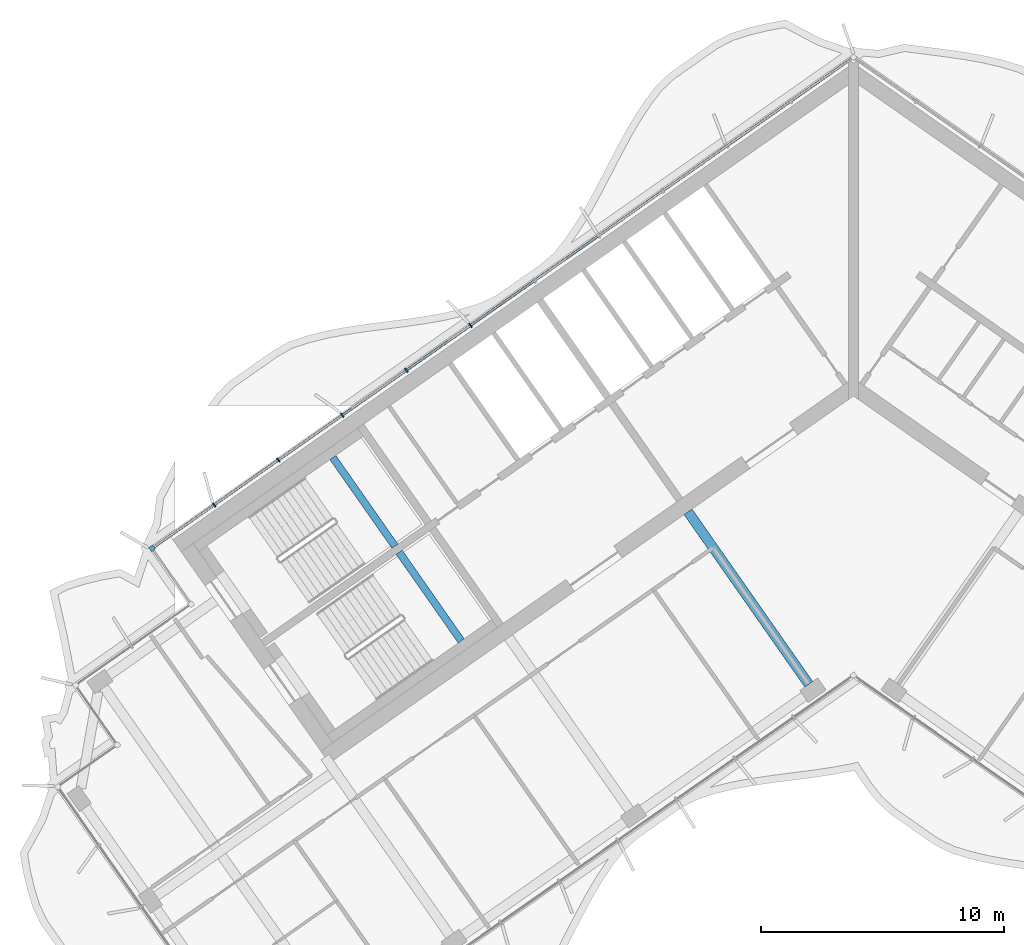
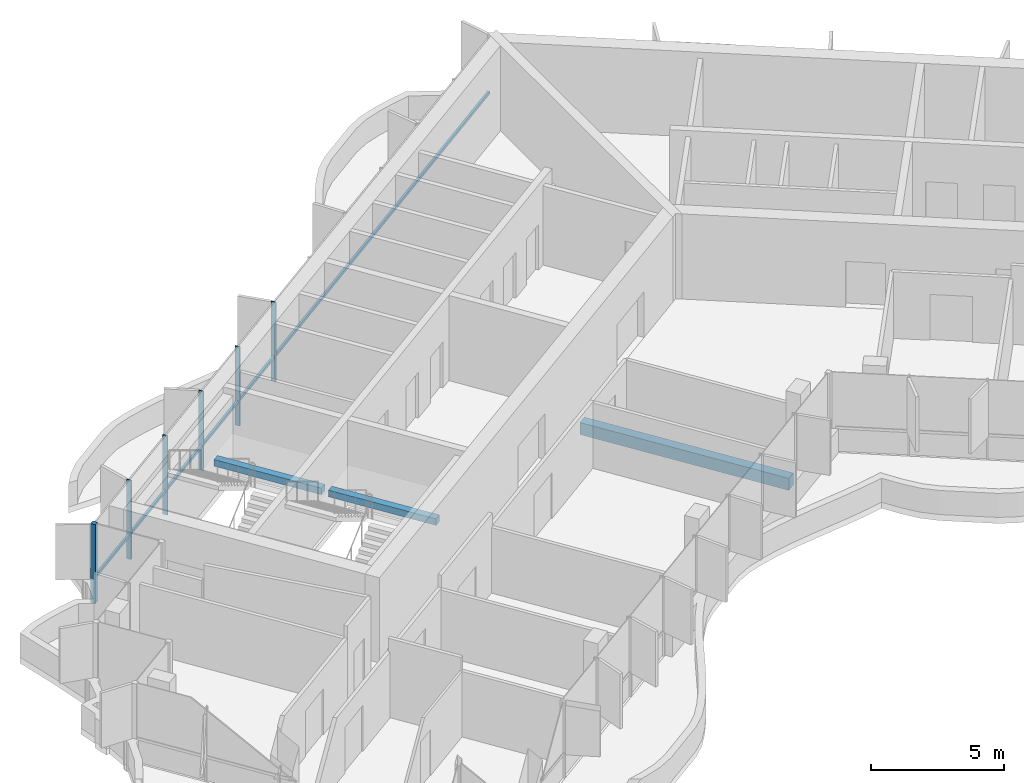
# One storey, part 3 of 17: 7 members, 3 beams, 1 element without a shape of its own.
"""IFC4 building model written with IfcOpenShell, lengths in metres."""

from ifc_helpers import new_model, si_unit, direction, frame, origin, origin_2d, place, context, subcontext, project, spatial, rectangle, extrude, material, material_profile, profile_set, type_object, element, aggregate, save


model = new_model("IFC4")

# Units and contexts
model_context = context("Model", 3, precision=1e-05, world=origin(), true_north=direction((0.0, 1.0)))
body_context = subcontext(model_context, "Body", "Model", "MODEL_VIEW")
ifc_project = project(units=[si_unit("LENGTHUNIT", "METRE"), si_unit("AREAUNIT", "SQUARE_METRE"), si_unit("VOLUMEUNIT", "CUBIC_METRE"), si_unit("PLANEANGLEUNIT", "RADIAN"), si_unit("MASSUNIT", "GRAM", prefix="KILO")], contexts=[model_context])

# Site, building, storey
site_placement = place(None, origin())
site = spatial("IfcSite", under=ifc_project, at=site_placement, CompositionType="ELEMENT")
building_placement = place(site_placement, origin())
building = spatial("IfcBuilding", under=site, at=building_placement, Name="Tel Ilan Convention Tower", CompositionType="ELEMENT")
storey_placement = place(building_placement, frame((0.0, 0.0, 280.0)))
storey = spatial("IfcBuildingStorey", under=building, at=storey_placement, Name="L66", CompositionType="ELEMENT", Elevation=280.0)

# Beam
ifc_material_1 = material(Name="Concrete C40/50", Category="concrete")
ifc_material_profile_1 = material_profile(ifc_material_1, rectangle(XDim=0.39990234375, YDim=0.550048828125, at=origin_2d()), Name="RC 400x550")
ifc_profile_set_1 = profile_set([ifc_material_profile_1], Name="Concrete C40/50")
beam_type_1 = type_object("IfcBeamType", Name="Beam RC 400x550 Concrete C40/50", PredefinedType="BEAM", material=ifc_profile_set_1)
beam_1_placement = place(storey_placement, frame((-1.83740234375, -13.06689453125, -0.554931640625), z_axis=(-0.573574099654, 0.819153680457, 0.0), x_axis=(-0.819153680457, -0.573574099654, 0.0)))
element("IfcBeam", 1, at=beam_1_placement, inside=storey, type_object=beam_type_1, Name="L66 beam W-W-F1-core", PredefinedType="BEAM", context=body_context, shape_type="SweptSolid", body=[
    extrude(rectangle(XDim=0.39990234375, YDim=0.550048828125, at=origin_2d()), origin(), (0.0, 0.0, 1.0), 8.64990234375),
])

# Curtain wall, members
ifc_material_2 = material(Name="Aluminium, bronze anodised", Category="aluminium")
curtain_wall_type = type_object("IfcCurtainWallType", Name="CW2 STICK CURTAIN WALL, SPANDREL PANELS", PredefinedType="NOTDEFINED", material=ifc_material_2)
curtain_wall_placement = place(storey_placement, origin())
curtain_wall = element("IfcCurtainWall", 2, at=curtain_wall_placement, inside=storey, type_object=curtain_wall_type, Name="Curtain wall CW2-50.01", PredefinedType="NOTDEFINED")
ifc_material_3 = material(Name="Aluminium, bronze anodised", Category="aluminium")
ifc_material_profile_2 = material_profile(ifc_material_3, rectangle(XDim=0.199951171875, YDim=0.199951171875, at=origin_2d()), Name="CW CORNER MULLION 200x200")
ifc_profile_set_2 = profile_set([ifc_material_profile_2], Name="Aluminium, bronze anodised")
member_type_1 = type_object("IfcMemberType", Name="CW CORNER MULLION 200x200", PredefinedType="MULLION", material=ifc_profile_set_2)
member_1_placement = place(storey_placement, frame((-28.819580078125, -7.483642578125, 0.0), z_axis=(0.0, 0.0, 1.0), x_axis=(-0.819152044289, -0.573576436351, 0.0)))
member_1 = element("IfcMember", 3, at=member_1_placement, type_object=member_type_1, Name="Corner mullion", PredefinedType="MULLION", context=body_context, shape_type="SweptSolid", body=[
    extrude(rectangle(XDim=0.199951171875, YDim=0.199951171875, at=origin_2d()), origin(), (0.0, 0.0, 1.0), 3.6201171875),
])
ifc_material_4 = material(Name="Aluminium, bronze anodised", Category="aluminium")
ifc_material_profile_3 = material_profile(ifc_material_4, rectangle(XDim=0.06005859375, YDim=0.199951171875, at=origin_2d()), Name="CW MULLION 60x200")
ifc_profile_set_3 = profile_set([ifc_material_profile_3], Name="Aluminium, bronze anodised")
member_type_2 = type_object("IfcMemberType", Name="CW MULLION 60x200", PredefinedType="MULLION", material=ifc_profile_set_3)
member_2_placement = place(storey_placement, frame((-15.73828125, 1.676025390625, 0.0), z_axis=(0.0, 0.0, 1.0), x_axis=(-0.819152044289, -0.573576436351, 0.0)))
member_2 = element("IfcMember", 4, at=member_2_placement, type_object=member_type_2, Name="Mullion", PredefinedType="MULLION", context=body_context, shape_type="SweptSolid", body=[
    extrude(rectangle(XDim=0.06005859375, YDim=0.199951171875, at=origin_2d()), origin(), (0.0, 0.0, 1.0), 3.6201171875),
])
member_3_placement = place(storey_placement, frame((-18.37109375, -0.16748046875, 0.0), z_axis=(0.0, 0.0, 1.0), x_axis=(-0.819152044289, -0.573576436351, 0.0)))
member_3 = element("IfcMember", 5, at=member_3_placement, type_object=member_type_2, Name="Mullion", PredefinedType="MULLION", context=body_context, shape_type="SweptSolid", body=[
    extrude(rectangle(XDim=0.06005859375, YDim=0.199951171875, at=origin_2d()), origin(), (0.0, 0.0, 1.0), 3.6201171875),
])
member_4_placement = place(storey_placement, frame((-21.003662109375, -2.0107421875, 0.0), z_axis=(0.0, 0.0, 1.0), x_axis=(-0.819152044289, -0.573576436351, 0.0)))
member_4 = element("IfcMember", 6, at=member_4_placement, type_object=member_type_2, Name="Mullion", PredefinedType="MULLION", context=body_context, shape_type="SweptSolid", body=[
    extrude(rectangle(XDim=0.06005859375, YDim=0.199951171875, at=origin_2d()), origin(), (0.0, 0.0, 1.0), 3.6201171875),
])
member_5_placement = place(storey_placement, frame((-23.63623046875, -3.854248046875, 0.0), z_axis=(0.0, 0.0, 1.0), x_axis=(-0.819152044289, -0.573576436351, 0.0)))
member_5 = element("IfcMember", 7, at=member_5_placement, type_object=member_type_2, Name="Mullion", PredefinedType="MULLION", context=body_context, shape_type="SweptSolid", body=[
    extrude(rectangle(XDim=0.06005859375, YDim=0.199951171875, at=origin_2d()), origin(), (0.0, 0.0, 1.0), 3.6201171875),
])
member_6_placement = place(storey_placement, frame((-26.268798828125, -5.697509765625, 0.0), z_axis=(0.0, 0.0, 1.0), x_axis=(-0.819152044289, -0.573576436351, 0.0)))
member_6 = element("IfcMember", 8, at=member_6_placement, type_object=member_type_2, Name="Mullion", PredefinedType="MULLION", context=body_context, shape_type="SweptSolid", body=[
    extrude(rectangle(XDim=0.06005859375, YDim=0.199951171875, at=origin_2d()), origin(), (0.0, 0.0, 1.0), 3.6201171875),
])
ifc_material_5 = material(Name="Aluminium, bronze anodised", Category="aluminium")
ifc_material_profile_4 = material_profile(ifc_material_5, rectangle(XDim=0.10009765625, YDim=0.1201171875, at=origin_2d()), Name="CW TRANSOM 100x120")
ifc_profile_set_4 = profile_set([ifc_material_profile_4], Name="Aluminium, bronze anodised")
member_type_3 = type_object("IfcMemberType", Name="CW TRANSOM 100x120", PredefinedType="USERDEFINED", material=ifc_profile_set_4)
member_7_placement = place(storey_placement, frame((-0.1064453125, 12.62158203125, 1.10009765625), z_axis=(-0.819150201937, -0.573579067494, 0.0), x_axis=(0.573579067494, -0.819150201937, 0.0)))
member_7 = element("IfcMember", 9, at=member_7_placement, type_object=member_type_3, Name="Transom", ObjectType="TRANSOM", PredefinedType="USERDEFINED", context=body_context, shape_type="SweptSolid", body=[
    extrude(rectangle(XDim=0.10009765625, YDim=0.1201171875, at=origin_2d()), origin(), (0.0, 0.0, 1.0), 34.9521484375),
])
aggregate(curtain_wall, [member_2, member_3, member_4, member_5, member_6, member_1, member_7])

# Beams
ifc_material_6 = material(Name="Concrete C40/50", Category="concrete")
ifc_material_profile_5 = material_profile(ifc_material_6, rectangle(XDim=0.300048828125, YDim=0.300048828125, at=origin_2d()), Name="RC 300x300")
ifc_profile_set_5 = profile_set([ifc_material_profile_5], Name="Concrete C40/50")
beam_type_2 = type_object("IfcBeamType", Name="Landing Beam RC 300x300 Concrete C40/50", PredefinedType="BEAM", material=ifc_profile_set_5)
beam_2_placement = place(storey_placement, frame((-18.841796875, -7.394287109375, 1.60009765625), z_axis=(-0.573547030514, 0.819172633691, 0.0), x_axis=(-0.819172633691, -0.573547030514, 0.0)))
element("IfcBeam", 10, at=beam_2_placement, inside=storey, type_object=beam_type_2, Name="S1 landing beam L66.1", PredefinedType="BEAM", context=body_context, shape_type="SweptSolid", body=[
    extrude(rectangle(XDim=0.300048828125, YDim=0.300048828125, at=origin_2d()), origin(), (0.0, 0.0, 1.0), 4.449951171875),
])
beam_3_placement = place(storey_placement, frame((-16.1171875, -11.285400390625, 1.60009765625), z_axis=(-0.573583844845, 0.819146856756, 0.0), x_axis=(-0.819146856756, -0.573583844845, 0.0)))
element("IfcBeam", 11, at=beam_3_placement, inside=storey, type_object=beam_type_2, Name="S2 landing beam L66.1", PredefinedType="BEAM", context=body_context, shape_type="SweptSolid", body=[
    extrude(rectangle(XDim=0.300048828125, YDim=0.300048828125, at=origin_2d()), origin(), (0.0, 0.0, 1.0), 4.4501953125),
])

save(model, "model.ifc")
